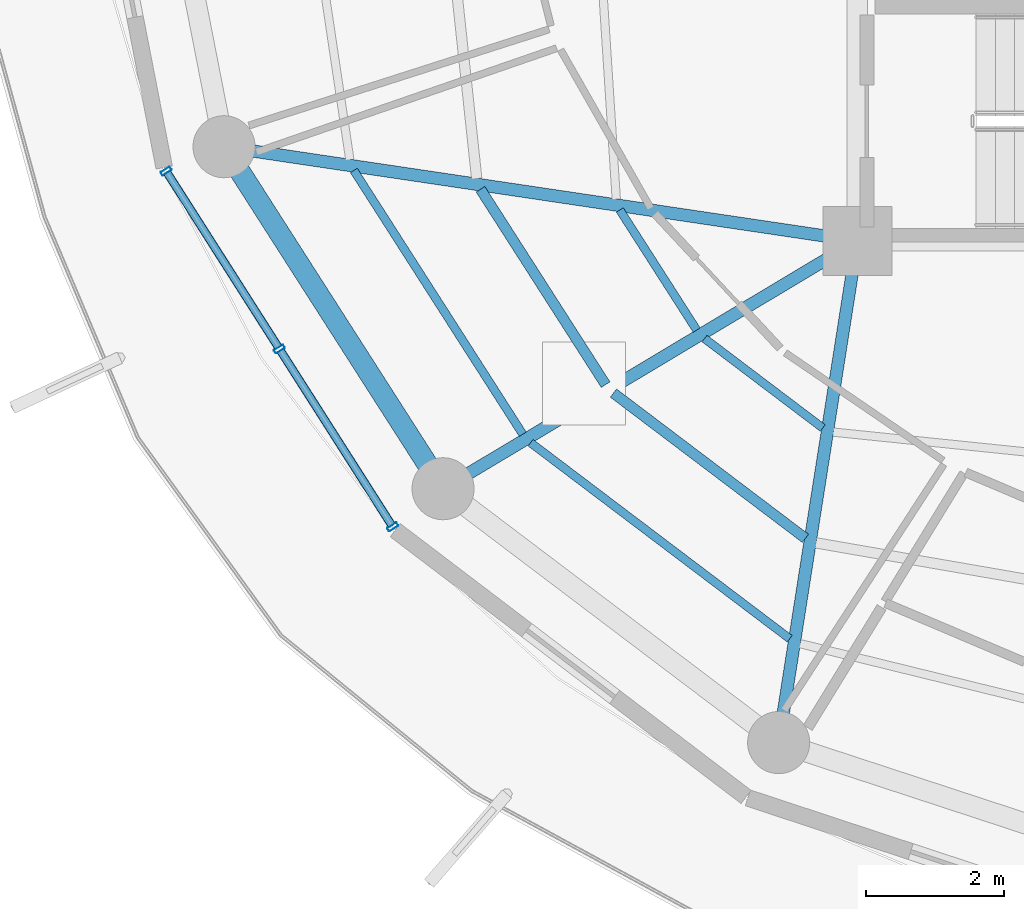
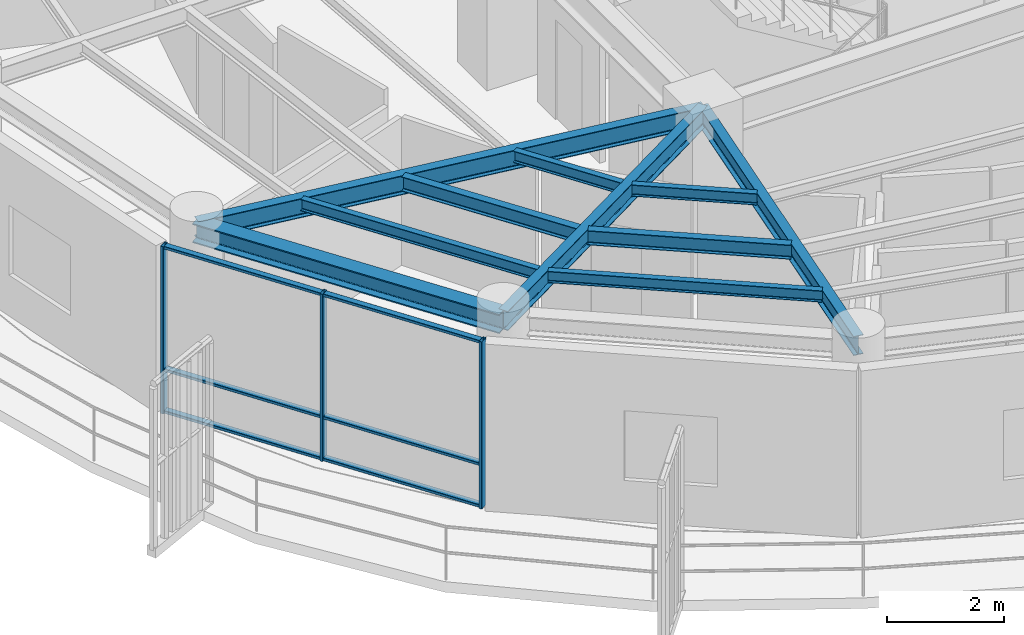
# One storey, part 2 of 23: 10 beams, 9 members, 1 element without a shape of its own.
"""IFC4 building model written with IfcOpenShell, lengths in metres."""

from ifc_helpers import new_model, si_unit, direction, frame, origin, origin_2d, place, context, subcontext, project, spatial, hollow_rectangle, i_section, extrude, material, layer, layer_set, material_profile, profile_set, type_object, element, aggregate, save


model = new_model("IFC4")

# Units and contexts
model_context = context("Model", 3, precision=1e-05, world=origin(), true_north=direction((0.0, 1.0)))
body_context = subcontext(model_context, "Body", "Model", "MODEL_VIEW")
ifc_project = project(units=[si_unit("LENGTHUNIT", "METRE"), si_unit("AREAUNIT", "SQUARE_METRE"), si_unit("VOLUMEUNIT", "CUBIC_METRE"), si_unit("PLANEANGLEUNIT", "RADIAN"), si_unit("MASSUNIT", "GRAM", prefix="KILO")], contexts=[model_context])

# Site, building, storey
site_placement = place(None, origin())
site = spatial("IfcSite", under=ifc_project, at=site_placement, CompositionType="ELEMENT")
building_placement = place(site_placement, origin())
building = spatial("IfcBuilding", under=site, at=building_placement, Name="Kelanora Arch Commons", CompositionType="ELEMENT")
storey_placement = place(building_placement, frame((0.0, 0.0, 252.449951171875)))
storey = spatial("IfcBuildingStorey", under=building, at=storey_placement, Name="L64", CompositionType="ELEMENT", Elevation=252.449951171875)

# Beams
ifc_material_1 = material(Name="Steel S355", Category="steel")
ifc_material_profile_1 = material_profile(ifc_material_1, i_section(OverallWidth=0.14990234375, OverallDepth=0.300048828125, WebThickness=0.007080078125, FlangeThickness=0.0107421875, FilletRadius=0.014892578125, at=origin_2d()), Name="IPE300")
ifc_profile_set_1 = profile_set([ifc_material_profile_1], Name="Steel S355")
beam_type_1 = type_object("IfcBeamType", Name="BM-JST-01", PredefinedType="JOIST", material=ifc_profile_set_1)
beam_1_placement = place(storey_placement, frame((60.539306640625, 51.74658203125, 3.340087890625), z_axis=(0.539321586177, -0.842099891155, 0.0), x_axis=(0.842099891155, 0.539321586177, 0.0)))
element("IfcBeam", 1, at=beam_1_placement, inside=storey, type_object=beam_type_1, Name="Secondary Chord Joist BJB-20 L64", PredefinedType="JOIST", context=body_context, shape_type="SweptSolid", body=[
    extrude(i_section(OverallWidth=0.14990234375, OverallDepth=0.300048828125, WebThickness=0.007080078125, FlangeThickness=0.0107421875, FilletRadius=0.014892578125, at=origin_2d()), origin(), (0.0, 0.0, 1.0), 3.361572265625),
])
beam_2_placement = place(storey_placement, frame((62.4658203125, 48.79296875, 3.340087890625), z_axis=(0.797499198801, -0.603320004568, 0.0), x_axis=(0.603320004568, 0.797499198801, 0.0)))
element("IfcBeam", 2, at=beam_2_placement, inside=storey, type_object=beam_type_1, Name="Secondary Chord Joist BJB-22 L64", PredefinedType="JOIST", context=body_context, shape_type="SweptSolid", body=[
    extrude(i_section(OverallWidth=0.14990234375, OverallDepth=0.300048828125, WebThickness=0.007080078125, FlangeThickness=0.0107421875, FilletRadius=0.014892578125, at=origin_2d()), origin(), (0.0, 0.0, 1.0), 3.489013671875),
])
ifc_material_profile_2 = material_profile(ifc_material_1, i_section(OverallWidth=0.1201171875, OverallDepth=0.239990234375, WebThickness=0.006103515625, FlangeThickness=0.009765625, FilletRadius=0.014892578125, at=origin_2d()), Name="IPE240")
ifc_profile_set_2 = profile_set([ifc_material_profile_2], Name="Steel S355")
beam_type_2 = type_object("IfcBeamType", Name="BM-JST-02", PredefinedType="JOIST", material=ifc_profile_set_2)
beam_3_placement = place(storey_placement, frame((62.558349609375, 51.446533203125, 3.3701171875), z_axis=(0.539311810315, -0.842106152011, 0.0), x_axis=(0.842106152011, 0.539311810315, 0.0)))
element("IfcBeam", 3, at=beam_3_placement, inside=storey, type_object=beam_type_2, Name="Secondary Chord Joist BJA-20 L64", PredefinedType="JOIST", context=body_context, shape_type="SweptSolid", body=[
    extrude(i_section(OverallWidth=0.1201171875, OverallDepth=0.239990234375, WebThickness=0.006103515625, FlangeThickness=0.009765625, FilletRadius=0.014892578125, at=origin_2d()), origin(), (0.0, 0.0, 1.0), 2.06640625),
])
beam_4_placement = place(storey_placement, frame((58.703857421875, 52.019287109375, 3.3701171875), z_axis=(0.539288735289, -0.842120929552, 0.0), x_axis=(0.842120929552, 0.539288735289, 0.0)))
element("IfcBeam", 4, at=beam_4_placement, inside=storey, type_object=beam_type_2, Name="Secondary Chord Joist BJC-20 L64", PredefinedType="JOIST", context=body_context, shape_type="SweptSolid", body=[
    extrude(i_section(OverallWidth=0.1201171875, OverallDepth=0.239990234375, WebThickness=0.006103515625, FlangeThickness=0.009765625, FilletRadius=0.014892578125, at=origin_2d()), origin(), (0.0, 0.0, 1.0), 4.538818359375),
])
beam_5_placement = place(storey_placement, frame((63.78662109375, 49.583251953125, 3.3701171875), z_axis=(0.797509883882, -0.603305880222, 0.0), x_axis=(0.603305880222, 0.797509883882, 0.0)))
element("IfcBeam", 5, at=beam_5_placement, inside=storey, type_object=beam_type_2, Name="Secondary Chord Joist BJA-22 L64", PredefinedType="JOIST", context=body_context, shape_type="SweptSolid", body=[
    extrude(i_section(OverallWidth=0.1201171875, OverallDepth=0.239990234375, WebThickness=0.006103515625, FlangeThickness=0.009765625, FilletRadius=0.014892578125, at=origin_2d()), origin(), (0.0, 0.0, 1.0), 2.147216796875),
])
beam_6_placement = place(storey_placement, frame((61.26513671875, 48.07421875, 3.3701171875), z_axis=(0.79752302984, -0.60328850219, 0.0), x_axis=(0.60328850219, 0.79752302984, 0.0)))
element("IfcBeam", 6, at=beam_6_placement, inside=storey, type_object=beam_type_2, Name="Secondary Chord Joist BJC-22 L64", PredefinedType="JOIST", context=body_context, shape_type="SweptSolid", body=[
    extrude(i_section(OverallWidth=0.1201171875, OverallDepth=0.239990234375, WebThickness=0.006103515625, FlangeThickness=0.009765625, FilletRadius=0.014892578125, at=origin_2d()), origin(), (0.0, 0.0, 1.0), 4.70849609375),
])
ifc_material_profile_3 = material_profile(ifc_material_1, i_section(OverallWidth=0.179931640625, OverallDepth=0.39990234375, WebThickness=0.008544921875, FlangeThickness=0.013427734375, FilletRadius=0.02099609375, at=origin_2d()), Name="IPE400")
ifc_profile_set_3 = profile_set([ifc_material_profile_3], Name="Steel S355")
beam_type_3 = type_object("IfcBeamType", Name="BM-RAD-Z5", PredefinedType="BEAM", material=ifc_profile_set_3)
beam_7_placement = place(storey_placement, frame((66.0, 51.0, 3.2900390625), z_axis=(-0.989142485564, 0.146959665395, 0.0), x_axis=(-0.146959665395, -0.989142485564, 0.0)))
element("IfcBeam", 7, at=beam_7_placement, inside=storey, type_object=beam_type_3, Name="Radial Floor Girder BR-20 L64", PredefinedType="BEAM", context=body_context, shape_type="SweptSolid", body=[
    extrude(i_section(OverallWidth=0.179931640625, OverallDepth=0.39990234375, WebThickness=0.008544921875, FlangeThickness=0.013427734375, FilletRadius=0.02099609375, at=origin_2d()), origin(), (0.0, 0.0, 1.0), 9.2783203125),
])
beam_8_placement = place(storey_placement, frame((66.0, 51.0, 3.2900390625), z_axis=(-0.858062005744, -0.513546097541, 0.0), x_axis=(0.513546097541, -0.858062005744, 0.0)))
element("IfcBeam", 8, at=beam_8_placement, inside=storey, type_object=beam_type_3, Name="Radial Floor Girder BR-22 L64", PredefinedType="BEAM", context=body_context, shape_type="SweptSolid", body=[
    extrude(i_section(OverallWidth=0.179931640625, OverallDepth=0.39990234375, WebThickness=0.008544921875, FlangeThickness=0.013427734375, FilletRadius=0.02099609375, at=origin_2d()), origin(), (0.0, 0.0, 1.0), 6.99658203125),
])
beam_9_placement = place(storey_placement, frame((66.0, 51.0, 3.2900390625), z_axis=(-0.154855424129, -0.987937142544, 0.0), x_axis=(0.987937142544, -0.154855424129, 0.0)))
element("IfcBeam", 9, at=beam_9_placement, inside=storey, type_object=beam_type_3, Name="Radial Floor Girder BR-24 L64", PredefinedType="BEAM", context=body_context, shape_type="SweptSolid", body=[
    extrude(i_section(OverallWidth=0.179931640625, OverallDepth=0.39990234375, WebThickness=0.008544921875, FlangeThickness=0.013427734375, FilletRadius=0.02099609375, at=origin_2d()), origin(), (0.0, 0.0, 1.0), 7.361083984375),
])
ifc_material_profile_4 = material_profile(ifc_material_1, i_section(OverallWidth=0.300048828125, OverallDepth=0.39990234375, WebThickness=0.013427734375, FlangeThickness=0.02392578125, FilletRadius=0.027099609375, at=origin_2d()), Name="HEB400")
ifc_profile_set_4 = profile_set([ifc_material_profile_4], Name="Steel S355")
beam_type_4 = type_object("IfcBeamType", Name="BM-SPN-Z4", PredefinedType="SPANDREL", material=ifc_profile_set_4)
beam_10_placement = place(storey_placement, frame((56.822509765625, 52.363525390625, 3.2900390625), z_axis=(0.539280851353, -0.842125978322, 0.0), x_axis=(0.842125978322, 0.539280851353, 0.0)))
element("IfcBeam", 10, at=beam_10_placement, inside=storey, type_object=beam_type_4, Name="Perimeter Spandrel Beam BS-20 L64", PredefinedType="SPANDREL", context=body_context, shape_type="SweptSolid", body=[
    extrude(i_section(OverallWidth=0.300048828125, OverallDepth=0.39990234375, WebThickness=0.013427734375, FlangeThickness=0.02392578125, FilletRadius=0.027099609375, at=origin_2d()), origin(), (0.0, 0.0, 1.0), 5.8857421875),
])

# Curtain wall, members
ifc_material_2 = material(Name="Terracotta ceramic-fritted low-E glass and aluminium", Category="masonry")
ifc_layer = layer(ifc_material_2, 0.18994140625)
ifc_layer_set = layer_set([ifc_layer], Name="Terracotta ceramic-fritted low-E glass and aluminium")
curtain_wall_type = type_object("IfcCurtainWallType", Name="CW-SYS-03", PredefinedType="NOTDEFINED", material=ifc_layer_set)
curtain_wall_placement = place(storey_placement, origin())
curtain_wall = element("IfcCurtainWall", 11, at=curtain_wall_placement, inside=storey, type_object=curtain_wall_type, Name="Unitised Curtain Wall L64-B10", PredefinedType="NOTDEFINED")
ifc_material_3 = material(Name="Powder-coated aluminium terracotta", Category="masonry")
ifc_material_profile_5 = material_profile(ifc_material_3, hollow_rectangle(XDim=0.159912109375, YDim=0.06005859375, WallThickness=0.0048828125, InnerFilletRadius=0.0048828125, OuterFilletRadius=0.010009765625, at=origin_2d()), Name="CWM160x60")
ifc_profile_set_5 = profile_set([ifc_material_profile_5], Name="Powder-coated aluminium terracotta")
member_type_1 = type_object("IfcMemberType", Name="CWM-STD", PredefinedType="MULLION", material=ifc_profile_set_5)
member_1_placement = place(storey_placement, frame((55.982177734375, 52.0107421875, 0.0), z_axis=(0.0, 0.0, 1.0), x_axis=(0.843391314545, 0.537299814397, 0.0)))
member_1 = element("IfcMember", 12, at=member_1_placement, type_object=member_type_1, Name="CW-03 mullion 1", PredefinedType="MULLION", context=body_context, shape_type="SweptSolid", body=[
    extrude(hollow_rectangle(XDim=0.159912109375, YDim=0.06005859375, WallThickness=0.0048828125, InnerFilletRadius=0.0048828125, OuterFilletRadius=0.010009765625, at=origin_2d()), origin(), (0.0, 0.0, 1.0), 3.47509765625),
])
member_2_placement = place(storey_placement, frame((57.625, 49.43212890625, 0.0), z_axis=(0.0, 0.0, 1.0), x_axis=(0.843391314545, 0.537299814397, 0.0)))
member_2 = element("IfcMember", 13, at=member_2_placement, type_object=member_type_1, Name="CW-03 mullion 2", PredefinedType="MULLION", context=body_context, shape_type="SweptSolid", body=[
    extrude(hollow_rectangle(XDim=0.159912109375, YDim=0.06005859375, WallThickness=0.0048828125, InnerFilletRadius=0.0048828125, OuterFilletRadius=0.010009765625, at=origin_2d()), origin(), (0.0, 0.0, 1.0), 3.47509765625),
])
member_3_placement = place(storey_placement, frame((59.267578125, 46.853515625, 0.0), z_axis=(0.0, 0.0, 1.0), x_axis=(0.843391314545, 0.537299814397, 0.0)))
member_3 = element("IfcMember", 14, at=member_3_placement, type_object=member_type_1, Name="CW-03 mullion 3", PredefinedType="MULLION", context=body_context, shape_type="SweptSolid", body=[
    extrude(hollow_rectangle(XDim=0.159912109375, YDim=0.06005859375, WallThickness=0.0048828125, InnerFilletRadius=0.0048828125, OuterFilletRadius=0.010009765625, at=origin_2d()), origin(), (0.0, 0.0, 1.0), 3.47509765625),
])
ifc_material_profile_6 = material_profile(ifc_material_3, hollow_rectangle(XDim=0.1201171875, YDim=0.06005859375, WallThickness=0.0048828125, InnerFilletRadius=0.0048828125, OuterFilletRadius=0.010009765625, at=origin_2d()), Name="CWT120x60")
ifc_profile_set_6 = profile_set([ifc_material_profile_6], Name="Powder-coated aluminium terracotta")
member_type_2 = type_object("IfcMemberType", Name="CWT-STD", PredefinedType="USERDEFINED", material=ifc_profile_set_6)
member_4_placement = place(storey_placement, frame((55.998291015625, 51.985595703125, 0.030029296875), z_axis=(0.537307571338, -0.843386372775, 0.0), x_axis=(0.843386372775, 0.537307571338, 0.0)))
member_4 = element("IfcMember", 15, at=member_4_placement, type_object=member_type_2, Name="CW-03 transom 1.1", ObjectType="TRANSOM", PredefinedType="USERDEFINED", context=body_context, shape_type="SweptSolid", body=[
    extrude(hollow_rectangle(XDim=0.1201171875, YDim=0.06005859375, WallThickness=0.0048828125, InnerFilletRadius=0.0048828125, OuterFilletRadius=0.010009765625, at=origin_2d()), origin(), (0.0, 0.0, 1.0), 2.99755859375),
])
member_5_placement = place(storey_placement, frame((55.998291015625, 51.985595703125, 0.900146484375), z_axis=(0.537307571338, -0.843386372775, 0.0), x_axis=(0.843386372775, 0.537307571338, 0.0)))
member_5 = element("IfcMember", 16, at=member_5_placement, type_object=member_type_2, Name="CW-03 transom 1.2", ObjectType="TRANSOM", PredefinedType="USERDEFINED", context=body_context, shape_type="SweptSolid", body=[
    extrude(hollow_rectangle(XDim=0.1201171875, YDim=0.06005859375, WallThickness=0.0048828125, InnerFilletRadius=0.0048828125, OuterFilletRadius=0.010009765625, at=origin_2d()), origin(), (0.0, 0.0, 1.0), 2.99755859375),
])
member_6_placement = place(storey_placement, frame((55.998291015625, 51.985595703125, 3.445068359375), z_axis=(0.537307571338, -0.843386372775, 0.0), x_axis=(0.843386372775, 0.537307571338, 0.0)))
member_6 = element("IfcMember", 17, at=member_6_placement, type_object=member_type_2, Name="CW-03 transom 1.3", ObjectType="TRANSOM", PredefinedType="USERDEFINED", context=body_context, shape_type="SweptSolid", body=[
    extrude(hollow_rectangle(XDim=0.1201171875, YDim=0.06005859375, WallThickness=0.0048828125, InnerFilletRadius=0.0048828125, OuterFilletRadius=0.010009765625, at=origin_2d()), origin(), (0.0, 0.0, 1.0), 2.99755859375),
])
member_7_placement = place(storey_placement, frame((57.64111328125, 49.40673828125, 0.030029296875), z_axis=(0.537286543791, -0.84339976871, 0.0), x_axis=(0.84339976871, 0.537286543791, 0.0)))
member_7 = element("IfcMember", 18, at=member_7_placement, type_object=member_type_2, Name="CW-03 transom 2.1", ObjectType="TRANSOM", PredefinedType="USERDEFINED", context=body_context, shape_type="SweptSolid", body=[
    extrude(hollow_rectangle(XDim=0.1201171875, YDim=0.06005859375, WallThickness=0.0048828125, InnerFilletRadius=0.0048828125, OuterFilletRadius=0.010009765625, at=origin_2d()), origin(), (0.0, 0.0, 1.0), 2.997314453125),
])
member_8_placement = place(storey_placement, frame((57.64111328125, 49.40673828125, 0.900146484375), z_axis=(0.537286543791, -0.84339976871, 0.0), x_axis=(0.84339976871, 0.537286543791, 0.0)))
member_8 = element("IfcMember", 19, at=member_8_placement, type_object=member_type_2, Name="CW-03 transom 2.2", ObjectType="TRANSOM", PredefinedType="USERDEFINED", context=body_context, shape_type="SweptSolid", body=[
    extrude(hollow_rectangle(XDim=0.1201171875, YDim=0.06005859375, WallThickness=0.0048828125, InnerFilletRadius=0.0048828125, OuterFilletRadius=0.010009765625, at=origin_2d()), origin(), (0.0, 0.0, 1.0), 2.997314453125),
])
member_9_placement = place(storey_placement, frame((57.64111328125, 49.40673828125, 3.445068359375), z_axis=(0.537286543791, -0.84339976871, 0.0), x_axis=(0.84339976871, 0.537286543791, 0.0)))
member_9 = element("IfcMember", 20, at=member_9_placement, type_object=member_type_2, Name="CW-03 transom 2.3", ObjectType="TRANSOM", PredefinedType="USERDEFINED", context=body_context, shape_type="SweptSolid", body=[
    extrude(hollow_rectangle(XDim=0.1201171875, YDim=0.06005859375, WallThickness=0.0048828125, InnerFilletRadius=0.0048828125, OuterFilletRadius=0.010009765625, at=origin_2d()), origin(), (0.0, 0.0, 1.0), 2.997314453125),
])
aggregate(curtain_wall, [member_1, member_2, member_3, member_4, member_5, member_6, member_7, member_8, member_9])

save(model, "model.ifc")
